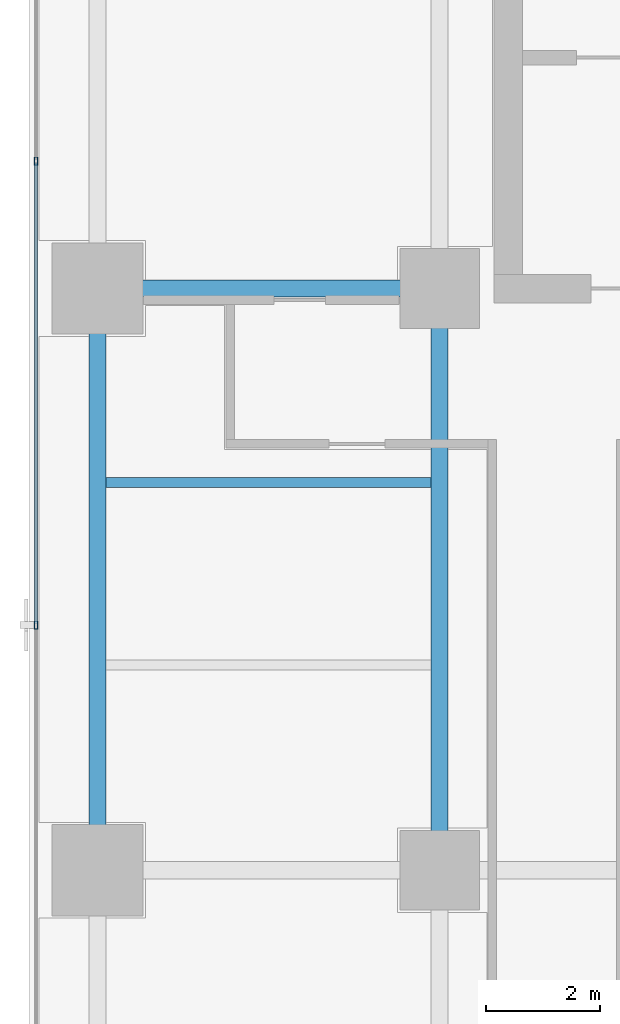
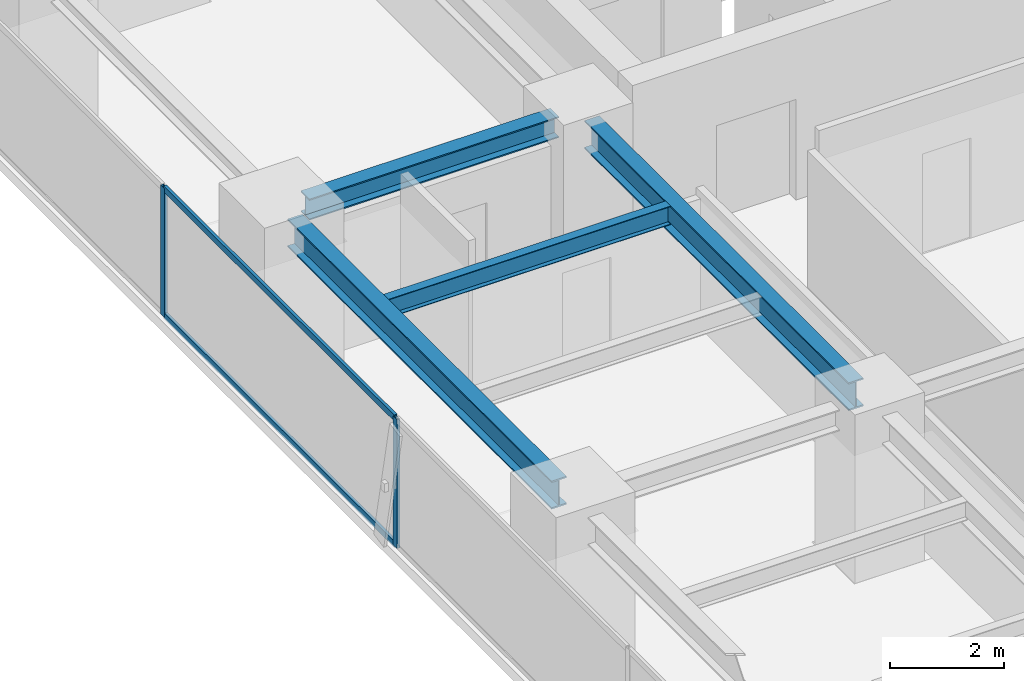
# One storey, part 8 of 28: 4 beams, 4 members, 1 element without a shape of its own.
"""IFC4 building model written with IfcOpenShell, lengths in metres."""

from ifc_helpers import new_model, si_unit, direction, frame, origin, origin_2d, place, context, subcontext, project, spatial, hollow_rectangle, i_section, extrude, source, transform, mapped, material, layer, layer_set, material_profile, profile_set, type_object, element, aggregate, save


model = new_model("IFC4")

# Units and contexts
model_context = context("Model", 3, precision=1e-05, world=origin(), true_north=direction((0.0, 1.0)))
body_context = subcontext(model_context, "Body", "Model", "MODEL_VIEW")
ifc_project = project(units=[si_unit("LENGTHUNIT", "METRE"), si_unit("AREAUNIT", "SQUARE_METRE"), si_unit("VOLUMEUNIT", "CUBIC_METRE"), si_unit("PLANEANGLEUNIT", "RADIAN"), si_unit("MASSUNIT", "GRAM", prefix="KILO")], contexts=[model_context])

# Site, building, storey
site_placement = place(None, origin())
site = spatial("IfcSite", under=ifc_project, at=site_placement, CompositionType="ELEMENT")
building_placement = place(site_placement, origin())
building = spatial("IfcBuilding", under=site, at=building_placement, Name="Sumidabori Civic Tower", CompositionType="ELEMENT")
storey_placement = place(building_placement, frame((0.0, 0.0, 210.800048828125)))
storey = spatial("IfcBuildingStorey", under=building, at=storey_placement, Name="L54", CompositionType="ELEMENT", Elevation=210.800048828125)

# Beams
ifc_material_1 = material(Name="Steel SN490", Category="steel")
ifc_material_profile_1 = material_profile(ifc_material_1, i_section(OverallWidth=0.300048828125, OverallDepth=0.60009765625, WebThickness=0.015380859375, FlangeThickness=0.030029296875, at=origin_2d()), Name="HE 600 B")
ifc_profile_set_1 = profile_set([ifc_material_profile_1], Name="Steel SN490")
beam_type_1 = type_object("IfcBeamType", Name="BM-GIRD-600", PredefinedType="BEAM", material=ifc_profile_set_1)
shared_shape_1 = source(origin(), body_context, "Body", "SweptSolid", [
    extrude(i_section(OverallWidth=0.300048828125, OverallDepth=0.60009765625, WebThickness=0.015380859375, FlangeThickness=0.030029296875, at=origin_2d()), origin(), (0.0, 0.0, 1.0), 9.239990234375),
])
for number, where, z_axis, x_axis, name in (
    (1, (-22.800048828125, 0.47998046875, 3.079833984375), (0.0, 1.0, 0.0), (-1.0, 0.0, 0.0), "Primary Girder L54 GY-12"),
    (2, (-16.800048828125, 0.47998046875, 3.079833984375), (0.0, 1.0, 0.0), (-1.0, 0.0, 0.0), "Primary Girder L54 GY-15"),
):
    element("IfcBeam", number, at=place(storey_placement, frame(where, z_axis=z_axis, x_axis=x_axis)), inside=storey, type_object=beam_type_1, Name=name, PredefinedType="BEAM", context=body_context, shape_type="MappedRepresentation", body=[
        mapped(shared_shape_1, transform((0.0, 0.0, 0.0), x_axis=(1.0, 0.0, 0.0), y_axis=(0.0, 1.0, 0.0), z_axis=(0.0, 0.0, 1.0), scale=1.0)),
    ])
ifc_material_profile_2 = material_profile(ifc_material_1, i_section(OverallWidth=0.179931640625, OverallDepth=0.39990234375, WebThickness=0.008544921875, FlangeThickness=0.013427734375, at=origin_2d()), Name="IPE 400")
ifc_profile_set_2 = profile_set([ifc_material_profile_2], Name="Steel SN490")
beam_type_2 = type_object("IfcBeamType", Name="BM-JST-400", PredefinedType="JOIST", material=ifc_profile_set_2)
shared_shape_2 = source(origin(), body_context, "Body", "SweptSolid", [
    extrude(i_section(OverallWidth=0.179931640625, OverallDepth=0.39990234375, WebThickness=0.008544921875, FlangeThickness=0.013427734375, at=origin_2d()), origin(), (0.0, 0.0, 1.0), 5.699951171875),
])
beam_1_placement = place(storey_placement, frame((-22.64990234375, 6.800048828125, 3.179931640625), z_axis=(1.0, 0.0, 0.0), x_axis=(0.0, 1.0, 0.0)))
element("IfcBeam", 3, at=beam_1_placement, inside=storey, type_object=beam_type_2, Name="Outer Bay Floor Joist L54 JSTO-31", PredefinedType="JOIST", context=body_context, shape_type="MappedRepresentation", body=[
    mapped(shared_shape_2, transform((0.0, 0.0, 0.0), x_axis=(1.0, 0.0, 0.0), y_axis=(0.0, 1.0, 0.0), z_axis=(0.0, 0.0, 1.0), scale=1.0)),
])
ifc_material_profile_3 = material_profile(ifc_material_1, i_section(OverallWidth=0.300048828125, OverallDepth=0.449951171875, WebThickness=0.013916015625, FlangeThickness=0.02587890625, at=origin_2d()), Name="HE 450 B")
ifc_profile_set_3 = profile_set([ifc_material_profile_3], Name="Steel SN490")
beam_type_3 = type_object("IfcBeamType", Name="BM-GIRD-450", PredefinedType="BEAM", material=ifc_profile_set_3)
shared_shape_3 = source(origin(), body_context, "Body", "SweptSolid", [
    extrude(i_section(OverallWidth=0.300048828125, OverallDepth=0.449951171875, WebThickness=0.013916015625, FlangeThickness=0.02587890625, at=origin_2d()), origin(), (0.0, 0.0, 1.0), 5.0400390625),
])
beam_2_placement = place(storey_placement, frame((-22.320068359375, 10.199951171875, 3.155029296875), z_axis=(1.0, 0.0, 0.0), x_axis=(0.0, 1.0, 0.0)))
element("IfcBeam", 4, at=beam_2_placement, inside=storey, type_object=beam_type_3, Name="Primary Girder L54 GX-09", PredefinedType="BEAM", context=body_context, shape_type="MappedRepresentation", body=[
    mapped(shared_shape_3, transform((0.0, 0.0, 0.0), x_axis=(1.0, 0.0, 0.0), y_axis=(0.0, 1.0, 0.0), z_axis=(0.0, 0.0, 1.0), scale=1.0)),
])

# Curtain wall, members
ifc_material_2 = material(Name="Anodised Bronze Aluminium AW-6063-T6", Category="aluminium")
ifc_layer = layer(ifc_material_2, 0.179931640625, Name="Anodised Bronze Aluminium AW-6063-T6")
ifc_layer_set = layer_set([ifc_layer], Name="Anodised Bronze Aluminium AW-6063-T6")
curtain_wall_type = type_object("IfcCurtainWallType", Name="CW-SYS-5", PredefinedType="NOTDEFINED", material=ifc_layer_set)
curtain_wall_placement = place(storey_placement, origin())
curtain_wall = element("IfcCurtainWall", 5, at=curtain_wall_placement, inside=storey, type_object=curtain_wall_type, Name="Curtain Wall CW:L54:R16", PredefinedType="NOTDEFINED")
ifc_material_profile_4 = material_profile(ifc_material_2, hollow_rectangle(XDim=0.06005859375, YDim=0.139892578125, WallThickness=0.0048828125, at=origin_2d()), Name="ALU MULLION 140x60")
ifc_profile_set_4 = profile_set([ifc_material_profile_4], Name="Anodised Bronze Aluminium AW-6063-T6")
member_type_1 = type_object("IfcMemberType", Name="CW-MUL-140", PredefinedType="MULLION", material=ifc_profile_set_4)
shared_shape_4 = source(origin(), body_context, "Body", "SweptSolid", [
    extrude(hollow_rectangle(XDim=0.06005859375, YDim=0.139892578125, WallThickness=0.0048828125, at=origin_2d()), origin(), (0.0, 0.0, 1.0), 2.760009765625),
])
member_1_placement = place(storey_placement, frame((-23.8798828125, 12.43505859375, 0.0), z_axis=(0.0, 0.0, 1.0), x_axis=(1.0, 0.0, 0.0)))
member_1 = element("IfcMember", 6, at=member_1_placement, type_object=member_type_1, Name="CW-5 mullion 2", PredefinedType="MULLION", context=body_context, shape_type="MappedRepresentation", body=[
    mapped(shared_shape_4, transform((0.0, 0.0, 0.0), x_axis=(1.0, 0.0, 0.0), y_axis=(0.0, 1.0, 0.0), z_axis=(0.0, 0.0, 1.0), scale=1.0)),
])
member_2_placement = place(storey_placement, frame((-23.8798828125, 4.300048828125, 0.0), z_axis=(0.0, 0.0, 1.0), x_axis=(1.0, 0.0, 0.0)))
member_2 = element("IfcMember", 7, at=member_2_placement, type_object=member_type_1, Name="CW-5 mullion 3", PredefinedType="MULLION", context=body_context, shape_type="MappedRepresentation", body=[
    mapped(shared_shape_4, transform((0.0, 0.0, 0.0), x_axis=(1.0, 0.0, 0.0), y_axis=(0.0, 1.0, 0.0), z_axis=(0.0, 0.0, 1.0), scale=1.0)),
])
ifc_material_profile_5 = material_profile(ifc_material_2, hollow_rectangle(XDim=0.06005859375, YDim=0.1298828125, WallThickness=0.0048828125, at=origin_2d()), Name="ALU TRANSOM 130x60")
ifc_profile_set_5 = profile_set([ifc_material_profile_5], Name="Anodised Bronze Aluminium AW-6063-T6")
member_type_2 = type_object("IfcMemberType", Name="CW-TRN-130", PredefinedType="USERDEFINED", material=ifc_profile_set_5)
shared_shape_5 = source(origin(), body_context, "Body", "SweptSolid", [
    extrude(hollow_rectangle(XDim=0.06005859375, YDim=0.1298828125, WallThickness=0.0048828125, at=origin_2d()), origin(), (0.0, 0.0, 1.0), 8.074951171875),
])
member_3_placement = place(storey_placement, frame((-23.8798828125, 12.405029296875, 0.030029296875), z_axis=(0.0, -1.0, 0.0), x_axis=(1.0, 0.0, 0.0)))
member_3 = element("IfcMember", 8, at=member_3_placement, type_object=member_type_2, Name="CW-5 transom 2.1", ObjectType="TRANSOM", PredefinedType="USERDEFINED", context=body_context, shape_type="MappedRepresentation", body=[
    mapped(shared_shape_5, transform((0.0, 0.0, 0.0), x_axis=(1.0, 0.0, 0.0), y_axis=(0.0, 1.0, 0.0), z_axis=(0.0, 0.0, 1.0), scale=1.0)),
])
member_4_placement = place(storey_placement, frame((-23.8798828125, 12.405029296875, 2.72998046875), z_axis=(0.0, -1.0, 0.0), x_axis=(1.0, 0.0, 0.0)))
member_4 = element("IfcMember", 9, at=member_4_placement, type_object=member_type_2, Name="CW-5 transom 2.2", ObjectType="TRANSOM", PredefinedType="USERDEFINED", context=body_context, shape_type="MappedRepresentation", body=[
    mapped(shared_shape_5, transform((0.0, 0.0, 0.0), x_axis=(1.0, 0.0, 0.0), y_axis=(0.0, 1.0, 0.0), z_axis=(0.0, 0.0, 1.0), scale=1.0)),
])
aggregate(curtain_wall, [member_1, member_2, member_3, member_4])

save(model, "model.ifc")
